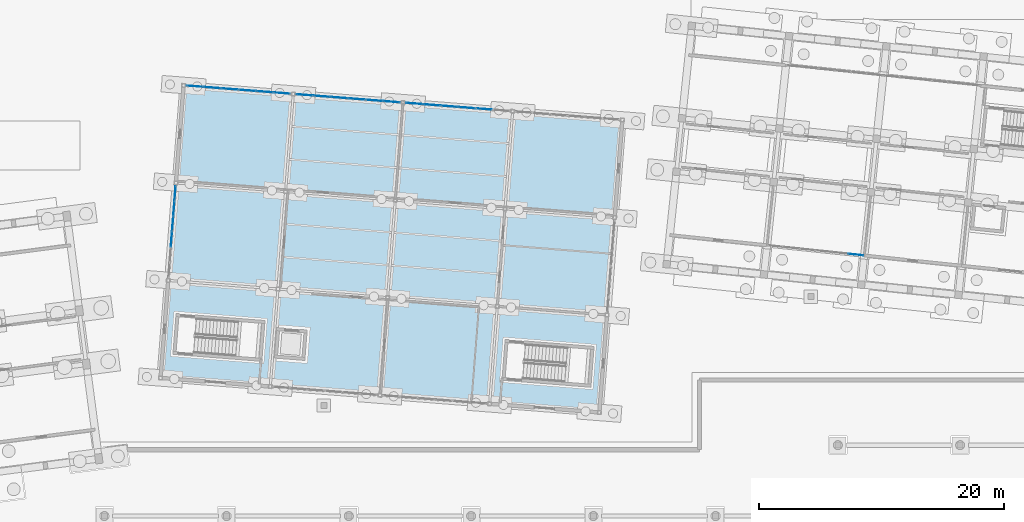
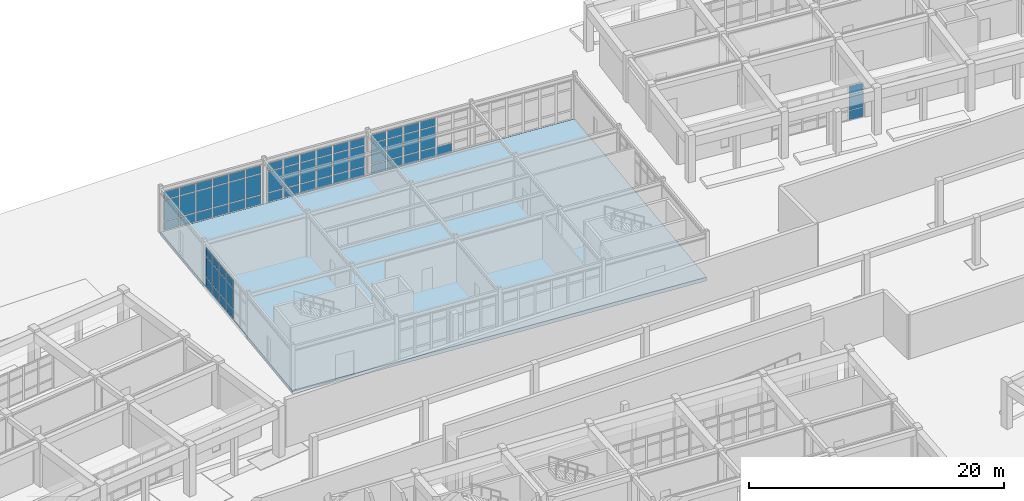
# One storey, part 111 of 154: 64 plates, 1 slab, 5 elements without a shape of their own.
"""IFC4 building model written with IfcOpenShell, lengths in metres."""

from ifc_helpers import new_model, si_unit, direction, frame, origin, origin_2d, place, context, subcontext, project, spatial, polyline, rectangle, outline, extrude, material, layer, layer_set, type_object, element, aggregate, save


model = new_model("IFC4")

# Units and contexts
model_context = context("Model", 3, precision=1e-05, world=origin(), true_north=direction((0.0, 1.0)))
body_context = subcontext(model_context, "Body", "Model", "MODEL_VIEW")
ifc_project = project(units=[si_unit("LENGTHUNIT", "METRE"), si_unit("AREAUNIT", "SQUARE_METRE"), si_unit("VOLUMEUNIT", "CUBIC_METRE"), si_unit("PLANEANGLEUNIT", "RADIAN"), si_unit("MASSUNIT", "GRAM", prefix="KILO")], contexts=[model_context])

# Site, building, storey
site_placement = place(None, origin())
site = spatial("IfcSite", under=ifc_project, at=site_placement, CompositionType="ELEMENT")
building_placement = place(site_placement, origin())
building = spatial("IfcBuilding", under=site, at=building_placement, Name="Kestramere Prow Commons", CompositionType="ELEMENT")
storey_placement = place(building_placement, origin())
storey = spatial("IfcBuildingStorey", under=building, at=storey_placement, Name="L00", CompositionType="ELEMENT", Elevation=0.0)

# Curtain wall, plates
ifc_material_1 = material(Name="Anodised Aluminium and Low-E Glass", Category="aluminium")
curtain_wall_type_1 = type_object("IfcCurtainWallType", Name="CW-05 Glazed Curtain Wall 7980x3350", PredefinedType="USERDEFINED", material=ifc_material_1)
curtain_wall_1_placement = place(storey_placement, origin())
curtain_wall_1 = element("IfcCurtainWall", 1, at=curtain_wall_1_placement, inside=storey, type_object=curtain_wall_type_1, Name="Block B L00 South Colonnade Storefront 2", ObjectType="GLAZED CURTAIN WALL", PredefinedType="USERDEFINED")
ifc_material_2 = material(Name="Low-E Laminated Double Glazing", Category="glass")
ifc_layer_1 = layer(ifc_material_2, 0.028076171875)
ifc_layer_set_1 = layer_set([ifc_layer_1], Name="Low-E Laminated Double Glazing")
plate_type = type_object("IfcPlateType", Name="CW-PNL-28", PredefinedType="CURTAIN_PANEL", material=ifc_layer_set_1)
plate_1_placement = place(storey_placement, frame((125.475830078125, 95.586669921875, 0.06494140625), z_axis=(0.0, 0.0, 1.0), x_axis=(-0.994521883132, 0.104528579686, 0.0)))
plate_1 = element("IfcPlate", 2, at=plate_1_placement, type_object=plate_type, Name="CW-05 panel 1.1", PredefinedType="CURTAIN_PANEL", context=body_context, shape_type="SweptSolid", body=[
    extrude(rectangle(XDim=1.232421875, YDim=0.028076171875, at=origin_2d()), origin(), (0.0, 0.0, 1.0), 0.8525390625),
])
plate_2_placement = place(storey_placement, frame((125.475830078125, 95.586669921875, 0.982421875), z_axis=(0.0, 0.0, 1.0), x_axis=(-0.994521883132, 0.104528579686, 0.0)))
plate_2 = element("IfcPlate", 3, at=plate_2_placement, type_object=plate_type, Name="CW-05 panel 1.2", PredefinedType="CURTAIN_PANEL", context=body_context, shape_type="SweptSolid", body=[
    extrude(rectangle(XDim=1.232421875, YDim=0.028076171875, at=origin_2d()), origin(), (0.0, 0.0, 1.0), 1.485107421875),
])
plate_3_placement = place(storey_placement, frame((125.475830078125, 95.586669921875, 2.532470703125), z_axis=(0.0, 0.0, 1.0), x_axis=(-0.994521883132, 0.104528579686, 0.0)))
plate_3 = element("IfcPlate", 4, at=plate_3_placement, type_object=plate_type, Name="CW-05 panel 1.3", PredefinedType="CURTAIN_PANEL", context=body_context, shape_type="SweptSolid", body=[
    extrude(rectangle(XDim=1.232421875, YDim=0.028076171875, at=origin_2d()), origin(), (0.0, 0.0, 1.0), 0.75244140625),
])
aggregate(curtain_wall_1, [plate_1, plate_2, plate_3])

curtain_wall_type_2 = type_object("IfcCurtainWallType", Name="CW-13 Glazed Curtain Wall 8600x3830", PredefinedType="USERDEFINED", material=ifc_material_1)
curtain_wall_2_placement = place(storey_placement, origin())
curtain_wall_2 = element("IfcCurtainWall", 5, at=curtain_wall_2_placement, inside=storey, type_object=curtain_wall_type_2, Name="Nursery L00 North Garden Glazing 1", ObjectType="GLAZED CURTAIN WALL", PredefinedType="USERDEFINED")
plate_4_placement = place(storey_placement, frame((71.41552734375, 109.3525390625, 0.074951171875), z_axis=(0.0, 0.0, 1.0), x_axis=(0.996917335713, -0.078459070568, 0.0)))
plate_4 = element("IfcPlate", 6, at=plate_4_placement, type_object=plate_type, Name="CW-13 panel 1.1", PredefinedType="CURTAIN_PANEL", context=body_context, shape_type="SweptSolid", body=[
    extrude(rectangle(XDim=1.32080078125, YDim=0.028076171875, at=origin_2d()), origin(), (0.0, 0.0, 1.0), 0.83740234375),
])
plate_5_placement = place(storey_placement, frame((71.41552734375, 109.3525390625, 0.987548828125), z_axis=(0.0, 0.0, 1.0), x_axis=(0.996917335713, -0.078459070568, 0.0)))
plate_5 = element("IfcPlate", 7, at=plate_5_placement, type_object=plate_type, Name="CW-13 panel 1.2", PredefinedType="CURTAIN_PANEL", context=body_context, shape_type="SweptSolid", body=[
    extrude(rectangle(XDim=1.32080078125, YDim=0.028076171875, at=origin_2d()), origin(), (0.0, 0.0, 1.0), 1.955078125),
])
plate_6_placement = place(storey_placement, frame((71.41552734375, 109.3525390625, 3.017578125), z_axis=(0.0, 0.0, 1.0), x_axis=(0.996917335713, -0.078459070568, 0.0)))
plate_6 = element("IfcPlate", 8, at=plate_6_placement, type_object=plate_type, Name="CW-13 panel 1.3", PredefinedType="CURTAIN_PANEL", context=body_context, shape_type="SweptSolid", body=[
    extrude(rectangle(XDim=1.32080078125, YDim=0.028076171875, at=origin_2d()), origin(), (0.0, 0.0, 1.0), 0.737548828125),
])
plate_7_placement = place(storey_placement, frame((72.82568359375, 109.24169921875, 0.074951171875), z_axis=(0.0, 0.0, 1.0), x_axis=(0.996917335713, -0.078459070568, 0.0)))
plate_7 = element("IfcPlate", 9, at=plate_7_placement, type_object=plate_type, Name="CW-13 panel 2.1", PredefinedType="CURTAIN_PANEL", context=body_context, shape_type="SweptSolid", body=[
    extrude(rectangle(XDim=1.3583984375, YDim=0.028076171875, at=origin_2d()), origin(), (0.0, 0.0, 1.0), 0.83740234375),
])
plate_8_placement = place(storey_placement, frame((72.82568359375, 109.24169921875, 0.987548828125), z_axis=(0.0, 0.0, 1.0), x_axis=(0.996917335713, -0.078459070568, 0.0)))
plate_8 = element("IfcPlate", 10, at=plate_8_placement, type_object=plate_type, Name="CW-13 panel 2.2", PredefinedType="CURTAIN_PANEL", context=body_context, shape_type="SweptSolid", body=[
    extrude(rectangle(XDim=1.3583984375, YDim=0.028076171875, at=origin_2d()), origin(), (0.0, 0.0, 1.0), 1.955078125),
])
plate_9_placement = place(storey_placement, frame((72.82568359375, 109.24169921875, 3.017578125), z_axis=(0.0, 0.0, 1.0), x_axis=(0.996917335713, -0.078459070568, 0.0)))
plate_9 = element("IfcPlate", 11, at=plate_9_placement, type_object=plate_type, Name="CW-13 panel 2.3", PredefinedType="CURTAIN_PANEL", context=body_context, shape_type="SweptSolid", body=[
    extrude(rectangle(XDim=1.3583984375, YDim=0.028076171875, at=origin_2d()), origin(), (0.0, 0.0, 1.0), 0.737548828125),
])
plate_10_placement = place(storey_placement, frame((74.254638671875, 109.129150390625, 0.074951171875), z_axis=(0.0, 0.0, 1.0), x_axis=(0.996917335713, -0.078459070568, 0.0)))
plate_10 = element("IfcPlate", 12, at=plate_10_placement, type_object=plate_type, Name="CW-13 panel 3.1", PredefinedType="CURTAIN_PANEL", context=body_context, shape_type="SweptSolid", body=[
    extrude(rectangle(XDim=1.3583984375, YDim=0.028076171875, at=origin_2d()), origin(), (0.0, 0.0, 1.0), 0.83740234375),
])
plate_11_placement = place(storey_placement, frame((74.254638671875, 109.129150390625, 0.987548828125), z_axis=(0.0, 0.0, 1.0), x_axis=(0.996917335713, -0.078459070568, 0.0)))
plate_11 = element("IfcPlate", 13, at=plate_11_placement, type_object=plate_type, Name="CW-13 panel 3.2", PredefinedType="CURTAIN_PANEL", context=body_context, shape_type="SweptSolid", body=[
    extrude(rectangle(XDim=1.3583984375, YDim=0.028076171875, at=origin_2d()), origin(), (0.0, 0.0, 1.0), 1.955078125),
])
plate_12_placement = place(storey_placement, frame((74.254638671875, 109.129150390625, 3.017578125), z_axis=(0.0, 0.0, 1.0), x_axis=(0.996917335713, -0.078459070568, 0.0)))
plate_12 = element("IfcPlate", 14, at=plate_12_placement, type_object=plate_type, Name="CW-13 panel 3.3", PredefinedType="CURTAIN_PANEL", context=body_context, shape_type="SweptSolid", body=[
    extrude(rectangle(XDim=1.3583984375, YDim=0.028076171875, at=origin_2d()), origin(), (0.0, 0.0, 1.0), 0.737548828125),
])
plate_13_placement = place(storey_placement, frame((75.68359375, 109.0166015625, 0.074951171875), z_axis=(0.0, 0.0, 1.0), x_axis=(0.996917335713, -0.078459070568, 0.0)))
plate_13 = element("IfcPlate", 15, at=plate_13_placement, type_object=plate_type, Name="CW-13 panel 4.1", PredefinedType="CURTAIN_PANEL", context=body_context, shape_type="SweptSolid", body=[
    extrude(rectangle(XDim=1.3583984375, YDim=0.028076171875, at=origin_2d()), origin(), (0.0, 0.0, 1.0), 0.83740234375),
])
plate_14_placement = place(storey_placement, frame((75.68359375, 109.0166015625, 0.987548828125), z_axis=(0.0, 0.0, 1.0), x_axis=(0.996917335713, -0.078459070568, 0.0)))
plate_14 = element("IfcPlate", 16, at=plate_14_placement, type_object=plate_type, Name="CW-13 panel 4.2", PredefinedType="CURTAIN_PANEL", context=body_context, shape_type="SweptSolid", body=[
    extrude(rectangle(XDim=1.3583984375, YDim=0.028076171875, at=origin_2d()), origin(), (0.0, 0.0, 1.0), 1.955078125),
])
plate_15_placement = place(storey_placement, frame((75.68359375, 109.0166015625, 3.017578125), z_axis=(0.0, 0.0, 1.0), x_axis=(0.996917335713, -0.078459070568, 0.0)))
plate_15 = element("IfcPlate", 17, at=plate_15_placement, type_object=plate_type, Name="CW-13 panel 4.3", PredefinedType="CURTAIN_PANEL", context=body_context, shape_type="SweptSolid", body=[
    extrude(rectangle(XDim=1.3583984375, YDim=0.028076171875, at=origin_2d()), origin(), (0.0, 0.0, 1.0), 0.737548828125),
])
plate_16_placement = place(storey_placement, frame((77.112548828125, 108.904296875, 0.074951171875), z_axis=(0.0, 0.0, 1.0), x_axis=(0.996917335713, -0.078459070568, 0.0)))
plate_16 = element("IfcPlate", 18, at=plate_16_placement, type_object=plate_type, Name="CW-13 panel 5.1", PredefinedType="CURTAIN_PANEL", context=body_context, shape_type="SweptSolid", body=[
    extrude(rectangle(XDim=1.3583984375, YDim=0.028076171875, at=origin_2d()), origin(), (0.0, 0.0, 1.0), 0.83740234375),
])
plate_17_placement = place(storey_placement, frame((77.112548828125, 108.904296875, 0.987548828125), z_axis=(0.0, 0.0, 1.0), x_axis=(0.996917335713, -0.078459070568, 0.0)))
plate_17 = element("IfcPlate", 19, at=plate_17_placement, type_object=plate_type, Name="CW-13 panel 5.2", PredefinedType="CURTAIN_PANEL", context=body_context, shape_type="SweptSolid", body=[
    extrude(rectangle(XDim=1.3583984375, YDim=0.028076171875, at=origin_2d()), origin(), (0.0, 0.0, 1.0), 1.955078125),
])
plate_18_placement = place(storey_placement, frame((77.112548828125, 108.904296875, 3.017578125), z_axis=(0.0, 0.0, 1.0), x_axis=(0.996917335713, -0.078459070568, 0.0)))
plate_18 = element("IfcPlate", 20, at=plate_18_placement, type_object=plate_type, Name="CW-13 panel 5.3", PredefinedType="CURTAIN_PANEL", context=body_context, shape_type="SweptSolid", body=[
    extrude(rectangle(XDim=1.3583984375, YDim=0.028076171875, at=origin_2d()), origin(), (0.0, 0.0, 1.0), 0.737548828125),
])
plate_19_placement = place(storey_placement, frame((78.522705078125, 108.793212890625, 0.074951171875), z_axis=(0.0, 0.0, 1.0), x_axis=(0.996917335713, -0.078459070568, 0.0)))
plate_19 = element("IfcPlate", 21, at=plate_19_placement, type_object=plate_type, Name="CW-13 panel 6.1", PredefinedType="CURTAIN_PANEL", context=body_context, shape_type="SweptSolid", body=[
    extrude(rectangle(XDim=1.32080078125, YDim=0.028076171875, at=origin_2d()), origin(), (0.0, 0.0, 1.0), 0.83740234375),
])
plate_20_placement = place(storey_placement, frame((78.522705078125, 108.793212890625, 0.987548828125), z_axis=(0.0, 0.0, 1.0), x_axis=(0.996917335713, -0.078459070568, 0.0)))
plate_20 = element("IfcPlate", 22, at=plate_20_placement, type_object=plate_type, Name="CW-13 panel 6.2", PredefinedType="CURTAIN_PANEL", context=body_context, shape_type="SweptSolid", body=[
    extrude(rectangle(XDim=1.32080078125, YDim=0.028076171875, at=origin_2d()), origin(), (0.0, 0.0, 1.0), 1.955078125),
])
plate_21_placement = place(storey_placement, frame((78.522705078125, 108.793212890625, 3.017578125), z_axis=(0.0, 0.0, 1.0), x_axis=(0.996917335713, -0.078459070568, 0.0)))
plate_21 = element("IfcPlate", 23, at=plate_21_placement, type_object=plate_type, Name="CW-13 panel 6.3", PredefinedType="CURTAIN_PANEL", context=body_context, shape_type="SweptSolid", body=[
    extrude(rectangle(XDim=1.32080078125, YDim=0.028076171875, at=origin_2d()), origin(), (0.0, 0.0, 1.0), 0.737548828125),
])
aggregate(curtain_wall_2, [plate_4, plate_5, plate_6, plate_7, plate_8, plate_9, plate_10, plate_11, plate_12, plate_13, plate_14, plate_15, plate_16, plate_17, plate_18, plate_19, plate_20, plate_21])

curtain_wall_3_placement = place(storey_placement, origin())
curtain_wall_3 = element("IfcCurtainWall", 24, at=curtain_wall_3_placement, inside=storey, type_object=curtain_wall_type_2, Name="Nursery L00 North Garden Glazing 2", ObjectType="GLAZED CURTAIN WALL", PredefinedType="USERDEFINED")
plate_22_placement = place(storey_placement, frame((80.3876953125, 108.646484375, 0.074951171875), z_axis=(0.0, 0.0, 1.0), x_axis=(0.996917335713, -0.078459070568, 0.0)))
plate_22 = element("IfcPlate", 25, at=plate_22_placement, type_object=plate_type, Name="CW-13 panel 1.1", PredefinedType="CURTAIN_PANEL", context=body_context, shape_type="SweptSolid", body=[
    extrude(rectangle(XDim=1.32080078125, YDim=0.028076171875, at=origin_2d()), origin(), (0.0, 0.0, 1.0), 0.83740234375),
])
plate_23_placement = place(storey_placement, frame((80.3876953125, 108.646484375, 0.987548828125), z_axis=(0.0, 0.0, 1.0), x_axis=(0.996917335713, -0.078459070568, 0.0)))
plate_23 = element("IfcPlate", 26, at=plate_23_placement, type_object=plate_type, Name="CW-13 panel 1.2", PredefinedType="CURTAIN_PANEL", context=body_context, shape_type="SweptSolid", body=[
    extrude(rectangle(XDim=1.32080078125, YDim=0.028076171875, at=origin_2d()), origin(), (0.0, 0.0, 1.0), 1.955078125),
])
plate_24_placement = place(storey_placement, frame((80.3876953125, 108.646484375, 3.017578125), z_axis=(0.0, 0.0, 1.0), x_axis=(0.996917335713, -0.078459070568, 0.0)))
plate_24 = element("IfcPlate", 27, at=plate_24_placement, type_object=plate_type, Name="CW-13 panel 1.3", PredefinedType="CURTAIN_PANEL", context=body_context, shape_type="SweptSolid", body=[
    extrude(rectangle(XDim=1.32080078125, YDim=0.028076171875, at=origin_2d()), origin(), (0.0, 0.0, 1.0), 0.737548828125),
])
plate_25_placement = place(storey_placement, frame((81.798095703125, 108.535400390625, 0.074951171875), z_axis=(0.0, 0.0, 1.0), x_axis=(0.996917335713, -0.078459070568, 0.0)))
plate_25 = element("IfcPlate", 28, at=plate_25_placement, type_object=plate_type, Name="CW-13 panel 2.1", PredefinedType="CURTAIN_PANEL", context=body_context, shape_type="SweptSolid", body=[
    extrude(rectangle(XDim=1.3583984375, YDim=0.028076171875, at=origin_2d()), origin(), (0.0, 0.0, 1.0), 0.83740234375),
])
plate_26_placement = place(storey_placement, frame((81.798095703125, 108.535400390625, 0.987548828125), z_axis=(0.0, 0.0, 1.0), x_axis=(0.996917335713, -0.078459070568, 0.0)))
plate_26 = element("IfcPlate", 29, at=plate_26_placement, type_object=plate_type, Name="CW-13 panel 2.2", PredefinedType="CURTAIN_PANEL", context=body_context, shape_type="SweptSolid", body=[
    extrude(rectangle(XDim=1.3583984375, YDim=0.028076171875, at=origin_2d()), origin(), (0.0, 0.0, 1.0), 1.955078125),
])
plate_27_placement = place(storey_placement, frame((81.798095703125, 108.535400390625, 3.017578125), z_axis=(0.0, 0.0, 1.0), x_axis=(0.996917335713, -0.078459070568, 0.0)))
plate_27 = element("IfcPlate", 30, at=plate_27_placement, type_object=plate_type, Name="CW-13 panel 2.3", PredefinedType="CURTAIN_PANEL", context=body_context, shape_type="SweptSolid", body=[
    extrude(rectangle(XDim=1.3583984375, YDim=0.028076171875, at=origin_2d()), origin(), (0.0, 0.0, 1.0), 0.737548828125),
])
plate_28_placement = place(storey_placement, frame((83.22705078125, 108.423095703125, 0.074951171875), z_axis=(0.0, 0.0, 1.0), x_axis=(0.996917335713, -0.078459070568, 0.0)))
plate_28 = element("IfcPlate", 31, at=plate_28_placement, type_object=plate_type, Name="CW-13 panel 3.1", PredefinedType="CURTAIN_PANEL", context=body_context, shape_type="SweptSolid", body=[
    extrude(rectangle(XDim=1.3583984375, YDim=0.028076171875, at=origin_2d()), origin(), (0.0, 0.0, 1.0), 0.83740234375),
])
plate_29_placement = place(storey_placement, frame((83.22705078125, 108.423095703125, 0.987548828125), z_axis=(0.0, 0.0, 1.0), x_axis=(0.996917335713, -0.078459070568, 0.0)))
plate_29 = element("IfcPlate", 32, at=plate_29_placement, type_object=plate_type, Name="CW-13 panel 3.2", PredefinedType="CURTAIN_PANEL", context=body_context, shape_type="SweptSolid", body=[
    extrude(rectangle(XDim=1.3583984375, YDim=0.028076171875, at=origin_2d()), origin(), (0.0, 0.0, 1.0), 1.955078125),
])
plate_30_placement = place(storey_placement, frame((83.22705078125, 108.423095703125, 3.017578125), z_axis=(0.0, 0.0, 1.0), x_axis=(0.996917335713, -0.078459070568, 0.0)))
plate_30 = element("IfcPlate", 33, at=plate_30_placement, type_object=plate_type, Name="CW-13 panel 3.3", PredefinedType="CURTAIN_PANEL", context=body_context, shape_type="SweptSolid", body=[
    extrude(rectangle(XDim=1.3583984375, YDim=0.028076171875, at=origin_2d()), origin(), (0.0, 0.0, 1.0), 0.737548828125),
])
plate_31_placement = place(storey_placement, frame((84.65576171875, 108.310546875, 0.074951171875), z_axis=(0.0, 0.0, 1.0), x_axis=(0.996917335713, -0.078459070568, 0.0)))
plate_31 = element("IfcPlate", 34, at=plate_31_placement, type_object=plate_type, Name="CW-13 panel 4.1", PredefinedType="CURTAIN_PANEL", context=body_context, shape_type="SweptSolid", body=[
    extrude(rectangle(XDim=1.3583984375, YDim=0.028076171875, at=origin_2d()), origin(), (0.0, 0.0, 1.0), 0.83740234375),
])
plate_32_placement = place(storey_placement, frame((84.65576171875, 108.310546875, 0.987548828125), z_axis=(0.0, 0.0, 1.0), x_axis=(0.996917335713, -0.078459070568, 0.0)))
plate_32 = element("IfcPlate", 35, at=plate_32_placement, type_object=plate_type, Name="CW-13 panel 4.2", PredefinedType="CURTAIN_PANEL", context=body_context, shape_type="SweptSolid", body=[
    extrude(rectangle(XDim=1.3583984375, YDim=0.028076171875, at=origin_2d()), origin(), (0.0, 0.0, 1.0), 1.955078125),
])
plate_33_placement = place(storey_placement, frame((84.65576171875, 108.310546875, 3.017578125), z_axis=(0.0, 0.0, 1.0), x_axis=(0.996917335713, -0.078459070568, 0.0)))
plate_33 = element("IfcPlate", 36, at=plate_33_placement, type_object=plate_type, Name="CW-13 panel 4.3", PredefinedType="CURTAIN_PANEL", context=body_context, shape_type="SweptSolid", body=[
    extrude(rectangle(XDim=1.3583984375, YDim=0.028076171875, at=origin_2d()), origin(), (0.0, 0.0, 1.0), 0.737548828125),
])
plate_34_placement = place(storey_placement, frame((86.084716796875, 108.1982421875, 0.074951171875), z_axis=(0.0, 0.0, 1.0), x_axis=(0.996917335713, -0.078459070568, 0.0)))
plate_34 = element("IfcPlate", 37, at=plate_34_placement, type_object=plate_type, Name="CW-13 panel 5.1", PredefinedType="CURTAIN_PANEL", context=body_context, shape_type="SweptSolid", body=[
    extrude(rectangle(XDim=1.3583984375, YDim=0.028076171875, at=origin_2d()), origin(), (0.0, 0.0, 1.0), 0.83740234375),
])
plate_35_placement = place(storey_placement, frame((86.084716796875, 108.1982421875, 0.987548828125), z_axis=(0.0, 0.0, 1.0), x_axis=(0.996917335713, -0.078459070568, 0.0)))
plate_35 = element("IfcPlate", 38, at=plate_35_placement, type_object=plate_type, Name="CW-13 panel 5.2", PredefinedType="CURTAIN_PANEL", context=body_context, shape_type="SweptSolid", body=[
    extrude(rectangle(XDim=1.3583984375, YDim=0.028076171875, at=origin_2d()), origin(), (0.0, 0.0, 1.0), 1.955078125),
])
plate_36_placement = place(storey_placement, frame((86.084716796875, 108.1982421875, 3.017578125), z_axis=(0.0, 0.0, 1.0), x_axis=(0.996917335713, -0.078459070568, 0.0)))
plate_36 = element("IfcPlate", 39, at=plate_36_placement, type_object=plate_type, Name="CW-13 panel 5.3", PredefinedType="CURTAIN_PANEL", context=body_context, shape_type="SweptSolid", body=[
    extrude(rectangle(XDim=1.3583984375, YDim=0.028076171875, at=origin_2d()), origin(), (0.0, 0.0, 1.0), 0.737548828125),
])
plate_37_placement = place(storey_placement, frame((87.4951171875, 108.087158203125, 0.074951171875), z_axis=(0.0, 0.0, 1.0), x_axis=(0.996917335713, -0.078459070568, 0.0)))
plate_37 = element("IfcPlate", 40, at=plate_37_placement, type_object=plate_type, Name="CW-13 panel 6.1", PredefinedType="CURTAIN_PANEL", context=body_context, shape_type="SweptSolid", body=[
    extrude(rectangle(XDim=1.32080078125, YDim=0.028076171875, at=origin_2d()), origin(), (0.0, 0.0, 1.0), 0.83740234375),
])
plate_38_placement = place(storey_placement, frame((87.4951171875, 108.087158203125, 0.987548828125), z_axis=(0.0, 0.0, 1.0), x_axis=(0.996917335713, -0.078459070568, 0.0)))
plate_38 = element("IfcPlate", 41, at=plate_38_placement, type_object=plate_type, Name="CW-13 panel 6.2", PredefinedType="CURTAIN_PANEL", context=body_context, shape_type="SweptSolid", body=[
    extrude(rectangle(XDim=1.32080078125, YDim=0.028076171875, at=origin_2d()), origin(), (0.0, 0.0, 1.0), 1.955078125),
])
plate_39_placement = place(storey_placement, frame((87.4951171875, 108.087158203125, 3.017578125), z_axis=(0.0, 0.0, 1.0), x_axis=(0.996917335713, -0.078459070568, 0.0)))
plate_39 = element("IfcPlate", 42, at=plate_39_placement, type_object=plate_type, Name="CW-13 panel 6.3", PredefinedType="CURTAIN_PANEL", context=body_context, shape_type="SweptSolid", body=[
    extrude(rectangle(XDim=1.32080078125, YDim=0.028076171875, at=origin_2d()), origin(), (0.0, 0.0, 1.0), 0.737548828125),
])
aggregate(curtain_wall_3, [plate_22, plate_23, plate_24, plate_25, plate_26, plate_27, plate_28, plate_29, plate_30, plate_31, plate_32, plate_33, plate_34, plate_35, plate_36, plate_37, plate_38, plate_39])

curtain_wall_4_placement = place(storey_placement, origin())
curtain_wall_4 = element("IfcCurtainWall", 43, at=curtain_wall_4_placement, inside=storey, type_object=curtain_wall_type_2, Name="Nursery L00 North Garden Glazing 3", ObjectType="GLAZED CURTAIN WALL", PredefinedType="USERDEFINED")
plate_40_placement = place(storey_placement, frame((89.360107421875, 107.9404296875, 0.074951171875), z_axis=(0.0, 0.0, 1.0), x_axis=(0.996917335713, -0.078459070568, 0.0)))
plate_40 = element("IfcPlate", 44, at=plate_40_placement, type_object=plate_type, Name="CW-13 panel 1.1", PredefinedType="CURTAIN_PANEL", context=body_context, shape_type="SweptSolid", body=[
    extrude(rectangle(XDim=1.32080078125, YDim=0.028076171875, at=origin_2d()), origin(), (0.0, 0.0, 1.0), 0.83740234375),
])
plate_41_placement = place(storey_placement, frame((89.360107421875, 107.9404296875, 0.987548828125), z_axis=(0.0, 0.0, 1.0), x_axis=(0.996917335713, -0.078459070568, 0.0)))
plate_41 = element("IfcPlate", 45, at=plate_41_placement, type_object=plate_type, Name="CW-13 panel 1.2", PredefinedType="CURTAIN_PANEL", context=body_context, shape_type="SweptSolid", body=[
    extrude(rectangle(XDim=1.32080078125, YDim=0.028076171875, at=origin_2d()), origin(), (0.0, 0.0, 1.0), 1.955078125),
])
plate_42_placement = place(storey_placement, frame((89.360107421875, 107.9404296875, 3.017578125), z_axis=(0.0, 0.0, 1.0), x_axis=(0.996917335713, -0.078459070568, 0.0)))
plate_42 = element("IfcPlate", 46, at=plate_42_placement, type_object=plate_type, Name="CW-13 panel 1.3", PredefinedType="CURTAIN_PANEL", context=body_context, shape_type="SweptSolid", body=[
    extrude(rectangle(XDim=1.32080078125, YDim=0.028076171875, at=origin_2d()), origin(), (0.0, 0.0, 1.0), 0.737548828125),
])
plate_43_placement = place(storey_placement, frame((90.770263671875, 107.829345703125, 0.074951171875), z_axis=(0.0, 0.0, 1.0), x_axis=(0.996917335713, -0.078459070568, 0.0)))
plate_43 = element("IfcPlate", 47, at=plate_43_placement, type_object=plate_type, Name="CW-13 panel 2.1", PredefinedType="CURTAIN_PANEL", context=body_context, shape_type="SweptSolid", body=[
    extrude(rectangle(XDim=1.3583984375, YDim=0.028076171875, at=origin_2d()), origin(), (0.0, 0.0, 1.0), 0.83740234375),
])
plate_44_placement = place(storey_placement, frame((90.770263671875, 107.829345703125, 0.987548828125), z_axis=(0.0, 0.0, 1.0), x_axis=(0.996917335713, -0.078459070568, 0.0)))
plate_44 = element("IfcPlate", 48, at=plate_44_placement, type_object=plate_type, Name="CW-13 panel 2.2", PredefinedType="CURTAIN_PANEL", context=body_context, shape_type="SweptSolid", body=[
    extrude(rectangle(XDim=1.3583984375, YDim=0.028076171875, at=origin_2d()), origin(), (0.0, 0.0, 1.0), 1.955078125),
])
plate_45_placement = place(storey_placement, frame((90.770263671875, 107.829345703125, 3.017578125), z_axis=(0.0, 0.0, 1.0), x_axis=(0.996917335713, -0.078459070568, 0.0)))
plate_45 = element("IfcPlate", 49, at=plate_45_placement, type_object=plate_type, Name="CW-13 panel 2.3", PredefinedType="CURTAIN_PANEL", context=body_context, shape_type="SweptSolid", body=[
    extrude(rectangle(XDim=1.3583984375, YDim=0.028076171875, at=origin_2d()), origin(), (0.0, 0.0, 1.0), 0.737548828125),
])
plate_46_placement = place(storey_placement, frame((92.19921875, 107.716796875, 0.074951171875), z_axis=(0.0, 0.0, 1.0), x_axis=(0.996917335713, -0.078459070568, 0.0)))
plate_46 = element("IfcPlate", 50, at=plate_46_placement, type_object=plate_type, Name="CW-13 panel 3.1", PredefinedType="CURTAIN_PANEL", context=body_context, shape_type="SweptSolid", body=[
    extrude(rectangle(XDim=1.3583984375, YDim=0.028076171875, at=origin_2d()), origin(), (0.0, 0.0, 1.0), 0.83740234375),
])
plate_47_placement = place(storey_placement, frame((92.19921875, 107.716796875, 0.987548828125), z_axis=(0.0, 0.0, 1.0), x_axis=(0.996917335713, -0.078459070568, 0.0)))
plate_47 = element("IfcPlate", 51, at=plate_47_placement, type_object=plate_type, Name="CW-13 panel 3.2", PredefinedType="CURTAIN_PANEL", context=body_context, shape_type="SweptSolid", body=[
    extrude(rectangle(XDim=1.3583984375, YDim=0.028076171875, at=origin_2d()), origin(), (0.0, 0.0, 1.0), 1.955078125),
])
plate_48_placement = place(storey_placement, frame((92.19921875, 107.716796875, 3.017578125), z_axis=(0.0, 0.0, 1.0), x_axis=(0.996917335713, -0.078459070568, 0.0)))
plate_48 = element("IfcPlate", 52, at=plate_48_placement, type_object=plate_type, Name="CW-13 panel 3.3", PredefinedType="CURTAIN_PANEL", context=body_context, shape_type="SweptSolid", body=[
    extrude(rectangle(XDim=1.3583984375, YDim=0.028076171875, at=origin_2d()), origin(), (0.0, 0.0, 1.0), 0.737548828125),
])
plate_49_placement = place(storey_placement, frame((93.628173828125, 107.6044921875, 0.074951171875), z_axis=(0.0, 0.0, 1.0), x_axis=(0.996917335713, -0.078459070568, 0.0)))
plate_49 = element("IfcPlate", 53, at=plate_49_placement, type_object=plate_type, Name="CW-13 panel 4.1", PredefinedType="CURTAIN_PANEL", context=body_context, shape_type="SweptSolid", body=[
    extrude(rectangle(XDim=1.3583984375, YDim=0.028076171875, at=origin_2d()), origin(), (0.0, 0.0, 1.0), 0.83740234375),
])
plate_50_placement = place(storey_placement, frame((93.628173828125, 107.6044921875, 0.987548828125), z_axis=(0.0, 0.0, 1.0), x_axis=(0.996917335713, -0.078459070568, 0.0)))
plate_50 = element("IfcPlate", 54, at=plate_50_placement, type_object=plate_type, Name="CW-13 panel 4.2", PredefinedType="CURTAIN_PANEL", context=body_context, shape_type="SweptSolid", body=[
    extrude(rectangle(XDim=1.3583984375, YDim=0.028076171875, at=origin_2d()), origin(), (0.0, 0.0, 1.0), 1.955078125),
])
plate_51_placement = place(storey_placement, frame((93.628173828125, 107.6044921875, 3.017578125), z_axis=(0.0, 0.0, 1.0), x_axis=(0.996917335713, -0.078459070568, 0.0)))
plate_51 = element("IfcPlate", 55, at=plate_51_placement, type_object=plate_type, Name="CW-13 panel 4.3", PredefinedType="CURTAIN_PANEL", context=body_context, shape_type="SweptSolid", body=[
    extrude(rectangle(XDim=1.3583984375, YDim=0.028076171875, at=origin_2d()), origin(), (0.0, 0.0, 1.0), 0.737548828125),
])
plate_52_placement = place(storey_placement, frame((95.05712890625, 107.491943359375, 0.074951171875), z_axis=(0.0, 0.0, 1.0), x_axis=(0.996917335713, -0.078459070568, 0.0)))
plate_52 = element("IfcPlate", 56, at=plate_52_placement, type_object=plate_type, Name="CW-13 panel 5.1", PredefinedType="CURTAIN_PANEL", context=body_context, shape_type="SweptSolid", body=[
    extrude(rectangle(XDim=1.3583984375, YDim=0.028076171875, at=origin_2d()), origin(), (0.0, 0.0, 1.0), 0.83740234375),
])
aggregate(curtain_wall_4, [plate_40, plate_41, plate_42, plate_43, plate_44, plate_45, plate_46, plate_47, plate_48, plate_49, plate_50, plate_51, plate_52])

curtain_wall_type_3 = type_object("IfcCurtainWallType", Name="CW-14 Glazed Curtain Wall 7600x3830", PredefinedType="USERDEFINED", material=ifc_material_1)
curtain_wall_5_placement = place(storey_placement, origin())
curtain_wall_5 = element("IfcCurtainWall", 57, at=curtain_wall_5_placement, inside=storey, type_object=curtain_wall_type_3, Name="Nursery L00 W End Glazing", ObjectType="GLAZED CURTAIN WALL", PredefinedType="USERDEFINED")
plate_53_placement = place(storey_placement, frame((69.49169921875, 96.83154296875, 0.074951171875), z_axis=(0.0, 0.0, 1.0), x_axis=(0.078459076345, 0.996917335259, 0.0)))
plate_53 = element("IfcPlate", 58, at=plate_53_placement, type_object=plate_type, Name="CW-14 panel 3.1", PredefinedType="CURTAIN_PANEL", context=body_context, shape_type="SweptSolid", body=[
    extrude(rectangle(XDim=1.191650390625, YDim=0.028076171875, at=origin_2d()), origin(), (0.0, 0.0, 1.0), 0.83740234375),
])
plate_54_placement = place(storey_placement, frame((69.49169921875, 96.83154296875, 0.987548828125), z_axis=(0.0, 0.0, 1.0), x_axis=(0.078459076345, 0.996917335259, 0.0)))
plate_54 = element("IfcPlate", 59, at=plate_54_placement, type_object=plate_type, Name="CW-14 panel 3.2", PredefinedType="CURTAIN_PANEL", context=body_context, shape_type="SweptSolid", body=[
    extrude(rectangle(XDim=1.191650390625, YDim=0.028076171875, at=origin_2d()), origin(), (0.0, 0.0, 1.0), 1.955078125),
])
plate_55_placement = place(storey_placement, frame((69.49169921875, 96.83154296875, 3.017578125), z_axis=(0.0, 0.0, 1.0), x_axis=(0.078459076345, 0.996917335259, 0.0)))
plate_55 = element("IfcPlate", 60, at=plate_55_placement, type_object=plate_type, Name="CW-14 panel 3.3", PredefinedType="CURTAIN_PANEL", context=body_context, shape_type="SweptSolid", body=[
    extrude(rectangle(XDim=1.191650390625, YDim=0.028076171875, at=origin_2d()), origin(), (0.0, 0.0, 1.0), 0.737548828125),
])
plate_56_placement = place(storey_placement, frame((69.59130859375, 98.094482421875, 0.074951171875), z_axis=(0.0, 0.0, 1.0), x_axis=(0.078459076345, 0.996917335259, 0.0)))
plate_56 = element("IfcPlate", 61, at=plate_56_placement, type_object=plate_type, Name="CW-14 panel 4.1", PredefinedType="CURTAIN_PANEL", context=body_context, shape_type="SweptSolid", body=[
    extrude(rectangle(XDim=1.191650390625, YDim=0.028076171875, at=origin_2d()), origin(), (0.0, 0.0, 1.0), 0.83740234375),
])
plate_57_placement = place(storey_placement, frame((69.59130859375, 98.094482421875, 0.987548828125), z_axis=(0.0, 0.0, 1.0), x_axis=(0.078459076345, 0.996917335259, 0.0)))
plate_57 = element("IfcPlate", 62, at=plate_57_placement, type_object=plate_type, Name="CW-14 panel 4.2", PredefinedType="CURTAIN_PANEL", context=body_context, shape_type="SweptSolid", body=[
    extrude(rectangle(XDim=1.191650390625, YDim=0.028076171875, at=origin_2d()), origin(), (0.0, 0.0, 1.0), 1.955078125),
])
plate_58_placement = place(storey_placement, frame((69.59130859375, 98.094482421875, 3.017578125), z_axis=(0.0, 0.0, 1.0), x_axis=(0.078459076345, 0.996917335259, 0.0)))
plate_58 = element("IfcPlate", 63, at=plate_58_placement, type_object=plate_type, Name="CW-14 panel 4.3", PredefinedType="CURTAIN_PANEL", context=body_context, shape_type="SweptSolid", body=[
    extrude(rectangle(XDim=1.191650390625, YDim=0.028076171875, at=origin_2d()), origin(), (0.0, 0.0, 1.0), 0.737548828125),
])
plate_59_placement = place(storey_placement, frame((69.690673828125, 99.357177734375, 0.074951171875), z_axis=(0.0, 0.0, 1.0), x_axis=(0.078459076345, 0.996917335259, 0.0)))
plate_59 = element("IfcPlate", 64, at=plate_59_placement, type_object=plate_type, Name="CW-14 panel 5.1", PredefinedType="CURTAIN_PANEL", context=body_context, shape_type="SweptSolid", body=[
    extrude(rectangle(XDim=1.191650390625, YDim=0.028076171875, at=origin_2d()), origin(), (0.0, 0.0, 1.0), 0.83740234375),
])
plate_60_placement = place(storey_placement, frame((69.690673828125, 99.357177734375, 0.987548828125), z_axis=(0.0, 0.0, 1.0), x_axis=(0.078459076345, 0.996917335259, 0.0)))
plate_60 = element("IfcPlate", 65, at=plate_60_placement, type_object=plate_type, Name="CW-14 panel 5.2", PredefinedType="CURTAIN_PANEL", context=body_context, shape_type="SweptSolid", body=[
    extrude(rectangle(XDim=1.191650390625, YDim=0.028076171875, at=origin_2d()), origin(), (0.0, 0.0, 1.0), 1.955078125),
])
plate_61_placement = place(storey_placement, frame((69.690673828125, 99.357177734375, 3.017578125), z_axis=(0.0, 0.0, 1.0), x_axis=(0.078459076345, 0.996917335259, 0.0)))
plate_61 = element("IfcPlate", 66, at=plate_61_placement, type_object=plate_type, Name="CW-14 panel 5.3", PredefinedType="CURTAIN_PANEL", context=body_context, shape_type="SweptSolid", body=[
    extrude(rectangle(XDim=1.191650390625, YDim=0.028076171875, at=origin_2d()), origin(), (0.0, 0.0, 1.0), 0.737548828125),
])
plate_62_placement = place(storey_placement, frame((69.78857421875, 100.601318359375, 0.074951171875), z_axis=(0.0, 0.0, 1.0), x_axis=(0.078459076345, 0.996917335259, 0.0)))
plate_62 = element("IfcPlate", 67, at=plate_62_placement, type_object=plate_type, Name="CW-14 panel 6.1", PredefinedType="CURTAIN_PANEL", context=body_context, shape_type="SweptSolid", body=[
    extrude(rectangle(XDim=1.154052734375, YDim=0.028076171875, at=origin_2d()), origin(), (0.0, 0.0, 1.0), 0.83740234375),
])
plate_63_placement = place(storey_placement, frame((69.78857421875, 100.601318359375, 0.987548828125), z_axis=(0.0, 0.0, 1.0), x_axis=(0.078459076345, 0.996917335259, 0.0)))
plate_63 = element("IfcPlate", 68, at=plate_63_placement, type_object=plate_type, Name="CW-14 panel 6.2", PredefinedType="CURTAIN_PANEL", context=body_context, shape_type="SweptSolid", body=[
    extrude(rectangle(XDim=1.154052734375, YDim=0.028076171875, at=origin_2d()), origin(), (0.0, 0.0, 1.0), 1.955078125),
])
plate_64_placement = place(storey_placement, frame((69.78857421875, 100.601318359375, 3.017578125), z_axis=(0.0, 0.0, 1.0), x_axis=(0.078459076345, 0.996917335259, 0.0)))
plate_64 = element("IfcPlate", 69, at=plate_64_placement, type_object=plate_type, Name="CW-14 panel 6.3", PredefinedType="CURTAIN_PANEL", context=body_context, shape_type="SweptSolid", body=[
    extrude(rectangle(XDim=1.154052734375, YDim=0.028076171875, at=origin_2d()), origin(), (0.0, 0.0, 1.0), 0.737548828125),
])
aggregate(curtain_wall_5, [plate_53, plate_54, plate_55, plate_56, plate_57, plate_58, plate_59, plate_60, plate_61, plate_62, plate_63, plate_64])

# Slab
ifc_material_3 = material(Name="Concrete C35/45", Category="concrete")
ifc_layer_2 = layer(ifc_material_3, 0.35009765625)
ifc_layer_set_2 = layer_set([ifc_layer_2], Name="Concrete C35/45")
slab_type = type_object("IfcSlabType", Name="SL-BASE-350", PredefinedType="BASESLAB", material=ifc_layer_set_2)
slab_placement = place(storey_placement, frame((0.0, 0.0, -0.35009765625)))
element("IfcSlab", 70, at=slab_placement, inside=storey, type_object=slab_type, Name="Nursery L00 Ground Slab", PredefinedType="BASESLAB", context=body_context, shape_type="SweptSolid", body=[
    extrude(outline(polyline([(68.60009765625, 85.5), (104.489013671875, 82.675537109375), (106.3720703125, 106.6015625), (70.48291015625, 109.426025390625), (68.60009765625, 85.5)])), origin(), (0.0, 0.0, 1.0), 0.35009765625),
])

save(model, "model.ifc")
